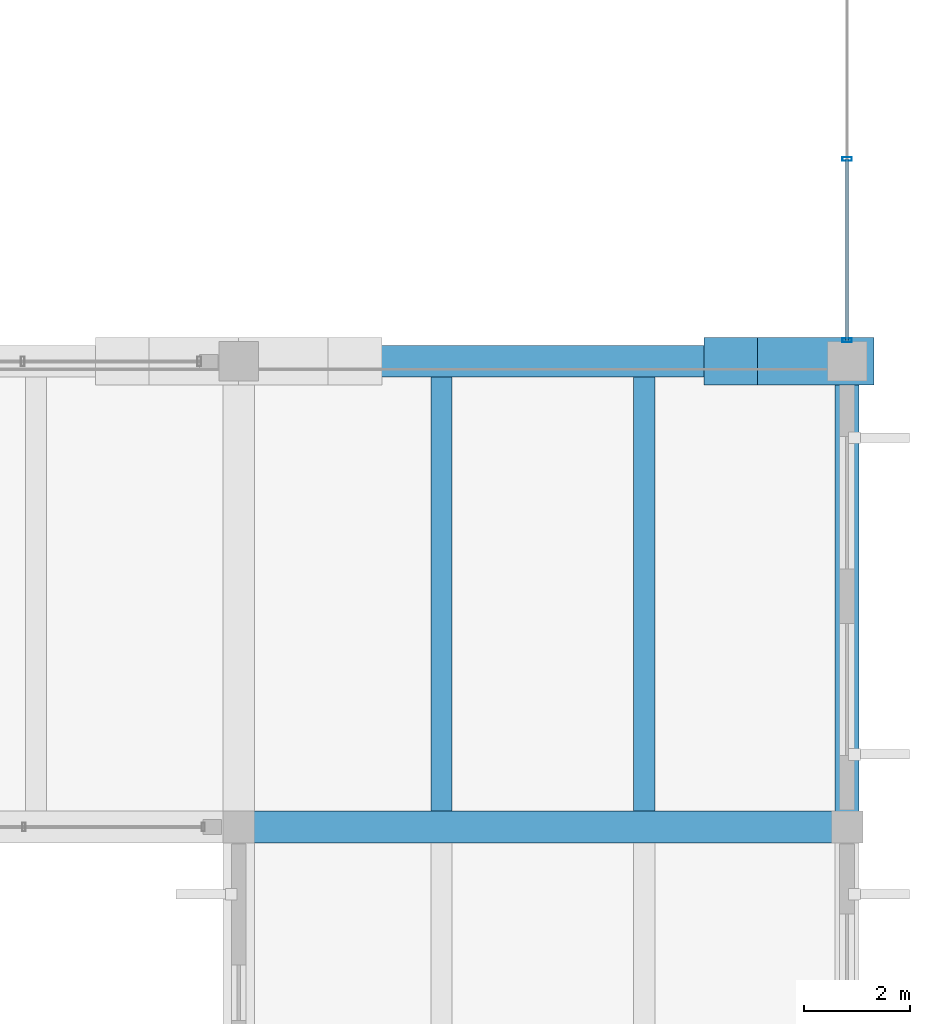
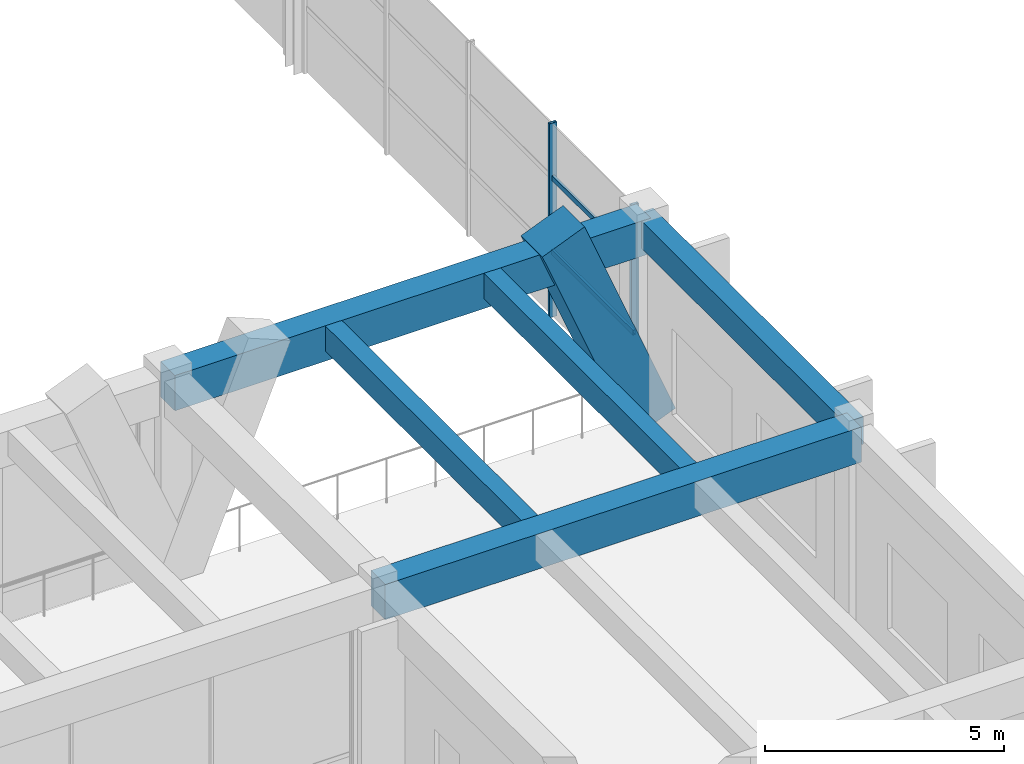
# One storey, part 96 of 148: 5 beams, 5 members, 1 element without a shape of its own.
"""IFC4 building model written with IfcOpenShell, lengths in metres."""

from ifc_helpers import new_model, si_unit, direction, frame, origin, origin_2d, place, context, subcontext, project, spatial, rectangle, hollow_rectangle, extrude, material, material_profile, profile_set, type_object, element, aggregate, save


model = new_model("IFC4")

# Units and contexts
model_context = context("Model", 3, precision=1e-05, world=origin(), true_north=direction((0.0, 1.0)))
body_context = subcontext(model_context, "Body", "Model", "MODEL_VIEW")
ifc_project = project(units=[si_unit("LENGTHUNIT", "METRE"), si_unit("AREAUNIT", "SQUARE_METRE"), si_unit("VOLUMEUNIT", "CUBIC_METRE"), si_unit("PLANEANGLEUNIT", "RADIAN"), si_unit("MASSUNIT", "GRAM", prefix="KILO")], contexts=[model_context])

# Site, building, storey
site_placement = place(None, origin())
site = spatial("IfcSite", under=ifc_project, at=site_placement, CompositionType="ELEMENT")
building_placement = place(site_placement, origin())
building = spatial("IfcBuilding", under=site, at=building_placement, Name="Ologun Quay Terminus", CompositionType="ELEMENT")
storey_placement = place(building_placement, frame((0.0, 0.0, 8.39990234375)))
storey = spatial("IfcBuildingStorey", under=building, at=storey_placement, Name="L02", CompositionType="ELEMENT", Elevation=8.39990234375)

# Curtain wall, members
ifc_material_1 = material(Name="Aluminium 6063-T6", Category="aluminium")
curtain_wall_type = type_object("IfcCurtainWallType", Name="Train Shed Gable Arch Screen 13500x4900", PredefinedType="USERDEFINED", material=ifc_material_1)
curtain_wall_placement = place(storey_placement, origin())
curtain_wall = element("IfcCurtainWall", 1, at=curtain_wall_placement, inside=storey, type_object=curtain_wall_type, Name="CW-10 Curtain Wall CW-GBL-E1", ObjectType="UNITISED CURTAIN WALL", PredefinedType="USERDEFINED")
ifc_material_2 = material(Name="Aluminium 6063-T6", Category="aluminium")
ifc_material_profile_1 = material_profile(ifc_material_2, hollow_rectangle(XDim=0.070068359375, YDim=0.179931640625, WallThickness=0.0048828125, at=origin_2d()), Name="ALU 180x70x5")
ifc_profile_set_1 = profile_set([ifc_material_profile_1], Name="Aluminium 6063-T6")
member_type_1 = type_object("IfcMemberType", Name="Concourse Clerestory Mullion 180x70", PredefinedType="MULLION", material=ifc_profile_set_1)
member_1_placement = place(storey_placement, frame((184.0, 36.39990234375, 0.14013671875), z_axis=(0.0, 0.0, 1.0), x_axis=(0.0, 1.0, 0.0)))
member_1 = element("IfcMember", 2, at=member_1_placement, type_object=member_type_1, Name="CW-GBL-E1 Mullion 1", PredefinedType="MULLION", context=body_context, shape_type="SweptSolid", body=[
    extrude(hollow_rectangle(XDim=0.070068359375, YDim=0.179931640625, WallThickness=0.0048828125, at=origin_2d()), origin(), (0.0, 0.0, 1.0), 4.9599609375),
])
member_2_placement = place(storey_placement, frame((184.0, 39.824951171875, 0.14013671875), z_axis=(0.0, 0.0, 1.0), x_axis=(0.0, 1.0, 0.0)))
member_2 = element("IfcMember", 3, at=member_2_placement, type_object=member_type_1, Name="CW-GBL-E1 Mullion 2", PredefinedType="MULLION", context=body_context, shape_type="SweptSolid", body=[
    extrude(hollow_rectangle(XDim=0.070068359375, YDim=0.179931640625, WallThickness=0.0048828125, at=origin_2d()), origin(), (0.0, 0.0, 1.0), 4.9599609375),
])
ifc_material_3 = material(Name="Aluminium 6063-T6", Category="aluminium")
ifc_material_profile_2 = material_profile(ifc_material_3, hollow_rectangle(XDim=0.06005859375, YDim=0.1298828125, WallThickness=0.00390625, at=origin_2d()), Name="ALU 130x60x4")
ifc_profile_set_2 = profile_set([ifc_material_profile_2], Name="Aluminium 6063-T6")
member_type_2 = type_object("IfcMemberType", Name="Concourse Clerestory Transom 130x60", PredefinedType="USERDEFINED", material=ifc_profile_set_2)
member_3_placement = place(storey_placement, frame((184.0, 36.39990234375, 1.800048828125), z_axis=(0.0, 1.0, 0.0), x_axis=(-1.0, 0.0, 0.0)))
member_3 = element("IfcMember", 4, at=member_3_placement, type_object=member_type_2, Name="CW-GBL-E1 Transom B1-1", ObjectType="TRANSOM", PredefinedType="USERDEFINED", context=body_context, shape_type="SweptSolid", body=[
    extrude(hollow_rectangle(XDim=0.06005859375, YDim=0.1298828125, WallThickness=0.00390625, at=origin_2d()), origin(), (0.0, 0.0, 1.0), 3.425048828125),
])
member_4_placement = place(storey_placement, frame((184.0, 36.39990234375, 3.7001953125), z_axis=(0.0, 1.0, 0.0), x_axis=(-1.0, 0.0, 0.0)))
member_4 = element("IfcMember", 5, at=member_4_placement, type_object=member_type_2, Name="CW-GBL-E1 Transom B1-2", ObjectType="TRANSOM", PredefinedType="USERDEFINED", context=body_context, shape_type="SweptSolid", body=[
    extrude(hollow_rectangle(XDim=0.06005859375, YDim=0.1298828125, WallThickness=0.00390625, at=origin_2d()), origin(), (0.0, 0.0, 1.0), 3.425048828125),
])
aggregate(curtain_wall, [member_1, member_2, member_3, member_4])

# Beam
ifc_material_4 = material(Name="Concrete C40/50", Category="concrete")
ifc_material_profile_3 = material_profile(ifc_material_4, rectangle(XDim=0.449951171875, YDim=0.699951171875, at=origin_2d()), Name="RC 450x700")
ifc_profile_set_3 = profile_set([ifc_material_profile_3], Name="Concrete C40/50")
beam_type_1 = type_object("IfcBeamType", Name="Perimeter Spandrel Beam 450x700", PredefinedType="SPANDREL", material=ifc_profile_set_3)
beam_placement = place(storey_placement, frame((184.0, 27.199951171875, 4.800048828125), z_axis=(0.0, 1.0, 0.0), x_axis=(-1.0, 0.0, 0.0)))
element("IfcBeam", 6, at=beam_placement, inside=storey, type_object=beam_type_1, Name="SP1 Beam 17/D L02", PredefinedType="SPANDREL", context=body_context, shape_type="SweptSolid", body=[
    extrude(rectangle(XDim=0.449951171875, YDim=0.699951171875, at=origin_2d()), origin(), (0.0, 0.0, 1.0), 8.800048828125),
])

# Member
ifc_material_5 = material(Name="Concrete C45/55", Category="concrete")
ifc_material_profile_4 = material_profile(ifc_material_5, rectangle(XDim=0.89990234375, YDim=1.10009765625, at=origin_2d()), Name="RC 900x1100")
ifc_profile_set_4 = profile_set([ifc_material_profile_4], Name="Concrete C45/55")
member_type_3 = type_object("IfcMemberType", Name="Sculpted Concrete Arch V-Buttress Strut 900x1100", PredefinedType="STRUT", material=ifc_profile_set_4)
member_5_placement = place(storey_placement, frame((184.0, 36.0, 0.0), z_axis=(-0.377280927807, 0.0, 0.926098861631), x_axis=(0.0, -1.0, 0.0)))
element("IfcMember", 7, at=member_5_placement, inside=storey, type_object=member_type_3, Name="VS1 Arch V-Buttress West Limb 17/E", PredefinedType="STRUT", context=body_context, shape_type="SweptSolid", body=[
    extrude(rectangle(XDim=0.89990234375, YDim=1.10009765625, at=origin_2d()), origin(), (0.0, 0.0, 1.0), 5.8310546875),
])

# Beams
ifc_material_6 = material(Name="Concrete C40/50", Category="concrete")
ifc_material_profile_5 = material_profile(ifc_material_6, rectangle(XDim=0.60009765625, YDim=0.89990234375, at=origin_2d()), Name="RC 600x900")
ifc_profile_set_5 = profile_set([ifc_material_profile_5], Name="Concrete C40/50")
beam_type_2 = type_object("IfcBeamType", Name="Station Frame Girder 600x900", PredefinedType="BEAM", material=ifc_profile_set_5)
for number, where, z_axis, x_axis, name in (
    (8, (172.5, 27.199951171875, 4.7001953125), (1.0, 0.0, 0.0), (0.0, 1.0, 0.0), "B3 Beam 16/D L02"),
    (9, (172.5, 36.0, 4.7001953125), (1.0, 0.0, 0.0), (0.0, 1.0, 0.0), "B3 Beam 16/E L02"),
):
    element("IfcBeam", number, at=place(storey_placement, frame(where, z_axis=z_axis, x_axis=x_axis)), inside=storey, type_object=beam_type_2, Name=name, PredefinedType="BEAM", context=body_context, shape_type="SweptSolid", body=[
        extrude(rectangle(XDim=0.60009765625, YDim=0.89990234375, at=origin_2d()), origin(), (0.0, 0.0, 1.0), 11.5),
    ])
ifc_material_7 = material(Name="Concrete C40/50", Category="concrete")
ifc_material_profile_6 = material_profile(ifc_material_7, rectangle(XDim=0.39990234375, YDim=0.64990234375, at=origin_2d()), Name="RC 400x650")
ifc_profile_set_6 = profile_set([ifc_material_profile_6], Name="Concrete C40/50")
beam_type_3 = type_object("IfcBeamType", Name="Station Secondary Joist 400x650", PredefinedType="JOIST", material=ifc_profile_set_6)
for number, where, z_axis, x_axis, name in (
    (10, (176.333251953125, 27.5, 4.8251953125), (0.0, 1.0, 0.0), (-1.0, 0.0, 0.0), "J1 Beam 16/D L02"),
    (11, (180.166748046875, 27.5, 4.8251953125), (0.0, 1.0, 0.0), (-1.0, 0.0, 0.0), "J1 Beam 16/D L02"),
):
    element("IfcBeam", number, at=place(storey_placement, frame(where, z_axis=z_axis, x_axis=x_axis)), inside=storey, type_object=beam_type_3, Name=name, PredefinedType="JOIST", context=body_context, shape_type="SweptSolid", body=[
        extrude(rectangle(XDim=0.39990234375, YDim=0.64990234375, at=origin_2d()), origin(), (0.0, 0.0, 1.0), 8.199951171875),
    ])

save(model, "model.ifc")
